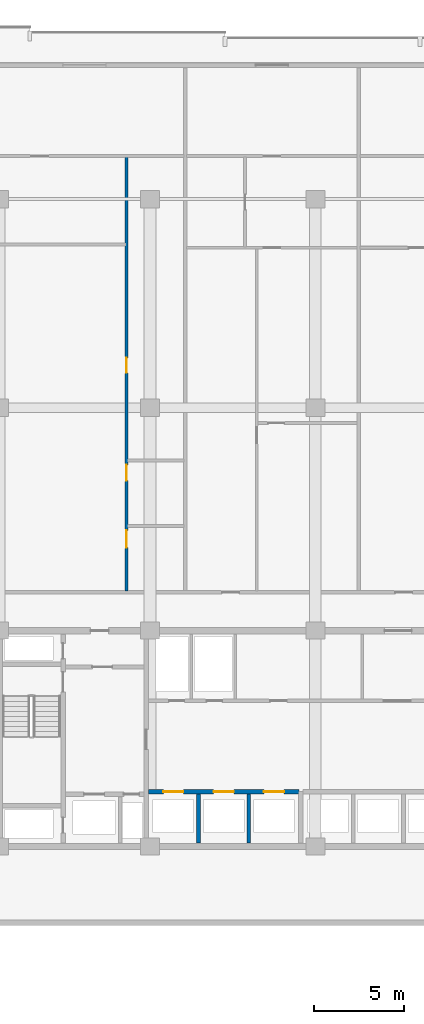
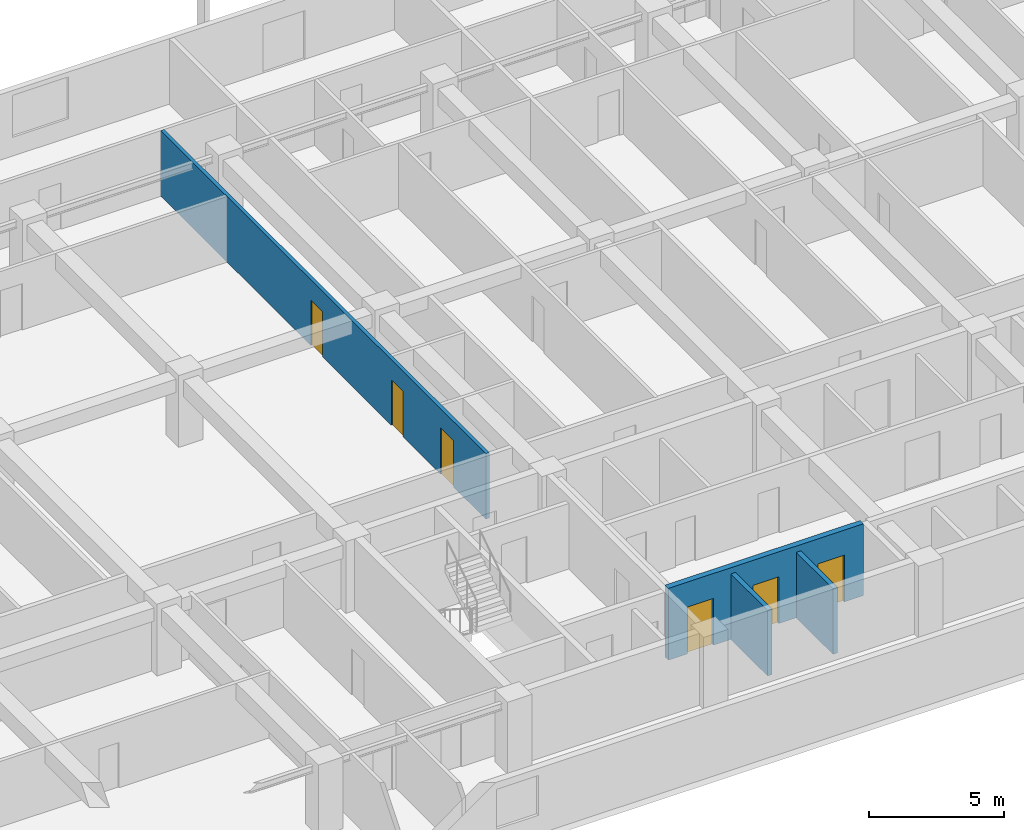
# One storey, part 11 of 24: 6 doors, 4 walls, 6 openings.
"""IFC4 building model written with IfcOpenShell, lengths in metres."""

from ifc_helpers import new_model, si_unit, direction, frame, frame_2d, origin, place, context, subcontext, project, spatial, rectangle, extrude, material, layer, layer_set, type_object, element, fill, save


model = new_model("IFC4")

# Units and contexts
model_context = context("Model", 3, precision=1e-05, world=origin(), true_north=direction((0.0, 1.0)))
body_context = subcontext(model_context, "Body", "Model", "MODEL_VIEW")
ifc_project = project(units=[si_unit("LENGTHUNIT", "METRE"), si_unit("AREAUNIT", "SQUARE_METRE"), si_unit("VOLUMEUNIT", "CUBIC_METRE"), si_unit("PLANEANGLEUNIT", "RADIAN"), si_unit("MASSUNIT", "GRAM", prefix="KILO")], contexts=[model_context])

# Site, building, storey
site_placement = place(None, origin())
site = spatial("IfcSite", under=ifc_project, at=site_placement, CompositionType="ELEMENT")
building_placement = place(site_placement, origin())
building = spatial("IfcBuilding", under=site, at=building_placement, Name="Korimba Cascade Residences", CompositionType="ELEMENT")
storey_placement = place(building_placement, frame((0.0, 0.0, 66.25)))
storey = spatial("IfcBuildingStorey", under=building, at=storey_placement, Name="L18", CompositionType="ELEMENT", Elevation=66.25)

# Wall, openings, doors
ifc_material_1 = material(Name="Insulated Acoustic Stud Partition", Category="gypsum")
ifc_layer_1 = layer(ifc_material_1, 0.14990234375)
ifc_layer_set_1 = layer_set([ifc_layer_1], Name="Insulated Acoustic Stud Partition")
wall_type_1 = type_object("IfcWallType", Name="WAL-PART-150", PredefinedType="PARTITIONING", material=ifc_layer_set_1)
wall_1_placement = place(storey_placement, frame((83.19482421875, 69.409912109375, 0.0), z_axis=(0.0, 0.0, 1.0), x_axis=(0.0, 1.0, 0.0)))
wall_1 = element("IfcWall", 1, at=wall_1_placement, inside=storey, type_object=wall_type_1, Name="L18 Partition Wall WAL-L18-T1-U02-WCV", PredefinedType="PARTITIONING", context=body_context, shape_type="SweptSolid", body=[
    extrude(rectangle(XDim=24.130126953125, YDim=0.14990234375, at=frame_2d((12.06494140625, 0.0))), origin(), (0.0, 0.0, 1.0), 2.969970703125),
])
opening_1_placement = place(wall_1_placement, frame((2.406005859375, 0.0, 0.0)))
opening_1 = element("IfcOpeningElement", 2, at=opening_1_placement, cuts=wall_1, Name="Opening D-AC1", PredefinedType="OPENING", context=body_context, shape_type="SweptSolid", body=[
    extrude(rectangle(XDim=0.9599609375, YDim=2.10009765625, at=frame_2d((0.47998046875, 1.050048828125))), frame((0.0, 0.0849609375, 0.0), z_axis=(0.0, -1.0, 0.0), x_axis=(1.0, 0.0, 0.0)), (0.0, 0.0, 1.0), 0.169921875),
])
opening_2_placement = place(wall_1_placement, frame((6.132568359375, 0.0, 0.0)))
opening_2 = element("IfcOpeningElement", 3, at=opening_2_placement, cuts=wall_1, Name="Opening D-IN2", PredefinedType="OPENING", context=body_context, shape_type="SweptSolid", body=[
    extrude(rectangle(XDim=0.8798828125, YDim=2.06005859375, at=frame_2d((0.43994140625, 1.030029296875))), frame((0.0, 0.0849609375, 0.0), z_axis=(0.0, -1.0, 0.0), x_axis=(1.0, 0.0, 0.0)), (0.0, 0.0, 1.0), 0.169921875),
])
opening_3_placement = place(wall_1_placement, frame((12.131103515625, 0.0, 0.0)))
opening_3 = element("IfcOpeningElement", 4, at=opening_3_placement, cuts=wall_1, Name="Opening D-BT1", PredefinedType="OPENING", context=body_context, shape_type="SweptSolid", body=[
    extrude(rectangle(XDim=0.840087890625, YDim=2.0400390625, at=frame_2d((0.419921875, 1.02001953125))), frame((0.0, 0.0849609375, 0.0), z_axis=(0.0, -1.0, 0.0), x_axis=(1.0, 0.0, 0.0)), (0.0, 0.0, 1.0), 0.169921875),
])
ifc_material_2 = material(Name="Accessible Acoustic Timber WC Door", Category="wood")
door_type_1 = type_object("IfcDoorType", Name="DR-ACC-950", OperationType="NOTDEFINED", PredefinedType="DOOR", material=ifc_material_2)
door_1_placement = place(opening_1_placement, origin())
door_1 = element("IfcDoor", 5, at=door_1_placement, inside=storey, type_object=door_type_1, Name="L18-T1-U02 Accessible WC Door", OperationType="SINGLE_SWING_LEFT", OverallHeight=2.10009765625, OverallWidth=0.9599609375, PredefinedType="DOOR", context=body_context, shape_type="SweptSolid", body=[
    extrude(rectangle(XDim=0.9599609375, YDim=2.10009765625, at=frame_2d((0.47998046875, 1.050048828125))), frame((0.0, 0.02490234375, 0.0), z_axis=(0.0, -1.0, 0.0), x_axis=(1.0, 0.0, 0.0)), (0.0, 0.0, 1.0), 0.050048828125),
])
fill(opening_1, door_1)
ifc_material_3 = material(Name="Moisture-Resistant Bathroom Timber Door", Category="wood")
door_type_2 = type_object("IfcDoorType", Name="DR-INT-850", OperationType="NOTDEFINED", PredefinedType="DOOR", material=ifc_material_3)
door_2_placement = place(opening_3_placement, origin())
door_2 = element("IfcDoor", 6, at=door_2_placement, inside=storey, type_object=door_type_2, Name="L18-T1-U02 Suite Store Door", OperationType="SINGLE_SWING_LEFT", OverallHeight=2.0400390625, OverallWidth=0.840087890625, PredefinedType="DOOR", context=body_context, shape_type="SweptSolid", body=[
    extrude(rectangle(XDim=0.840087890625, YDim=2.0400390625, at=frame_2d((0.419921875, 1.02001953125))), frame((0.0, 0.02490234375, 0.0), z_axis=(0.0, -1.0, 0.0), x_axis=(1.0, 0.0, 0.0)), (0.0, 0.0, 1.0), 0.050048828125),
])
fill(opening_3, door_2)
ifc_material_4 = material(Name="Acoustic Timber Bedroom Door", Category="wood")
door_type_3 = type_object("IfcDoorType", Name="DR-INT-880", OperationType="NOTDEFINED", PredefinedType="DOOR", material=ifc_material_4)
door_3_placement = place(opening_2_placement, origin())
door_3 = element("IfcDoor", 7, at=door_3_placement, inside=storey, type_object=door_type_3, Name="L18-T1-U02 Restroom WC Door", OperationType="SINGLE_SWING_RIGHT", OverallHeight=2.06005859375, OverallWidth=0.8798828125, PredefinedType="DOOR", context=body_context, shape_type="SweptSolid", body=[
    extrude(rectangle(XDim=0.8798828125, YDim=2.06005859375, at=frame_2d((0.43994140625, 1.030029296875))), frame((0.0, 0.02490234375, 0.0), z_axis=(0.0, -1.0, 0.0), x_axis=(1.0, 0.0, 0.0)), (0.0, 0.0, 1.0), 0.050048828125),
])
fill(opening_2, door_3)

# Walls
ifc_material_5 = material(Name="Concrete C40/50", Category="concrete")
ifc_layer_2 = layer(ifc_material_5, 0.199951171875)
ifc_layer_set_2 = layer_set([ifc_layer_2], Name="Concrete C40/50")
wall_type_2 = type_object("IfcWallType", Name="WAL-PART-200", PredefinedType="PARTITIONING", material=ifc_layer_set_2)
for number, where, z_axis, x_axis, name in (
    (8, (87.199951171875, 55.39990234375, 0.0), (0.0, 0.0, 1.0), (0.0, 1.0, 0.0), "L18 Partition Wall CW-L18-T1-B1D1"),
    (9, (90.0, 55.39990234375, 0.0), (0.0, 0.0, 1.0), (0.0, 1.0, 0.0), "L18 Partition Wall CW-L18-T1-B1D2"),
):
    element("IfcWall", number, at=place(storey_placement, frame(where, z_axis=z_axis, x_axis=x_axis)), inside=storey, type_object=wall_type_2, Name=name, PredefinedType="PARTITIONING", context=body_context, shape_type="SweptSolid", body=[
        extrude(rectangle(XDim=2.72021484375, YDim=0.199951171875, at=frame_2d((1.360107421875, 0.0))), origin(), (0.0, 0.0, 1.0), 2.969970703125),
    ])

# Wall, openings, doors
ifc_material_6 = material(Name="Concrete C50/60", Category="concrete")
ifc_layer_3 = layer(ifc_material_6, 0.25)
ifc_layer_set_3 = layer_set([ifc_layer_3], Name="Concrete C50/60")
wall_type_3 = type_object("IfcWallType", Name="WAL-SHAFT-250", PredefinedType="SHEAR", material=ifc_layer_set_3)
wall_2_placement = place(storey_placement, frame((84.419921875, 58.25, 0.0), z_axis=(0.0, 0.0, 1.0), x_axis=(1.0, 0.0, 0.0)))
wall_2 = element("IfcWall", 10, at=wall_2_placement, inside=storey, type_object=wall_type_3, Name="L18 Core Shear Wall CW-L18-T1-B1N", PredefinedType="SHEAR", context=body_context, shape_type="SweptSolid", body=[
    extrude(rectangle(XDim=8.360107421875, YDim=0.25, at=frame_2d((4.18017578125, 0.0))), origin(), (0.0, 0.0, 1.0), 3.25),
])
opening_4_placement = place(wall_2_placement, frame((0.820068359375, 0.0, 0.0)))
opening_4 = element("IfcOpeningElement", 11, at=opening_4_placement, cuts=wall_2, Name="Opening LD-01", PredefinedType="OPENING", context=body_context, shape_type="SweptSolid", body=[
    extrude(rectangle(XDim=1.1201171875, YDim=2.1201171875, at=frame_2d((0.56005859375, 1.06005859375))), frame((0.0, 0.135009765625, 0.0), z_axis=(0.0, -1.0, 0.0), x_axis=(1.0, 0.0, 0.0)), (0.0, 0.0, 1.0), 0.27001953125),
])
opening_5_placement = place(wall_2_placement, frame((3.6201171875, 0.0, 0.0)))
opening_5 = element("IfcOpeningElement", 12, at=opening_5_placement, cuts=wall_2, Name="Opening LD-01", PredefinedType="OPENING", context=body_context, shape_type="SweptSolid", body=[
    extrude(rectangle(XDim=1.1201171875, YDim=2.1201171875, at=frame_2d((0.56005859375, 1.06005859375))), frame((0.0, 0.135009765625, 0.0), z_axis=(0.0, -1.0, 0.0), x_axis=(1.0, 0.0, 0.0)), (0.0, 0.0, 1.0), 0.27001953125),
])
opening_6_placement = place(wall_2_placement, frame((6.419921875, 0.0, 0.0)))
opening_6 = element("IfcOpeningElement", 13, at=opening_6_placement, cuts=wall_2, Name="Opening LD-01", PredefinedType="OPENING", context=body_context, shape_type="SweptSolid", body=[
    extrude(rectangle(XDim=1.1201171875, YDim=2.1201171875, at=frame_2d((0.56005859375, 1.06005859375))), frame((0.0, 0.135009765625, 0.0), z_axis=(0.0, -1.0, 0.0), x_axis=(1.0, 0.0, 0.0)), (0.0, 0.0, 1.0), 0.27001953125),
])
ifc_material_7 = material(Name="Stainless Steel Lift Landing Sliding Door", Category="steel")
door_type_4 = type_object("IfcDoorType", Name="DR-LIFT-1100", OperationType="NOTDEFINED", PredefinedType="DOOR", material=ifc_material_7)
door_4_placement = place(opening_4_placement, origin())
door_4 = element("IfcDoor", 14, at=door_4_placement, inside=storey, type_object=door_type_4, Name="L18 Lift Landing Door PL-W1", OperationType="SLIDING_TO_LEFT", OverallHeight=2.1201171875, OverallWidth=1.1201171875, PredefinedType="DOOR", context=body_context, shape_type="SweptSolid", body=[
    extrude(rectangle(XDim=1.1201171875, YDim=2.1201171875, at=frame_2d((0.56005859375, 1.06005859375))), frame((0.0, 0.02490234375, 0.0), z_axis=(0.0, -1.0, 0.0), x_axis=(1.0, 0.0, 0.0)), (0.0, 0.0, 1.0), 0.050048828125),
])
fill(opening_4, door_4)
door_5_placement = place(opening_5_placement, origin())
door_5 = element("IfcDoor", 15, at=door_5_placement, inside=storey, type_object=door_type_4, Name="L18 Lift Landing Door PL-W2", OperationType="SLIDING_TO_LEFT", OverallHeight=2.1201171875, OverallWidth=1.1201171875, PredefinedType="DOOR", context=body_context, shape_type="SweptSolid", body=[
    extrude(rectangle(XDim=1.1201171875, YDim=2.1201171875, at=frame_2d((0.56005859375, 1.06005859375))), frame((0.0, 0.02490234375, 0.0), z_axis=(0.0, -1.0, 0.0), x_axis=(1.0, 0.0, 0.0)), (0.0, 0.0, 1.0), 0.050048828125),
])
fill(opening_5, door_5)
door_6_placement = place(opening_6_placement, origin())
door_6 = element("IfcDoor", 16, at=door_6_placement, inside=storey, type_object=door_type_4, Name="L18 Lift Landing Door PL-W3", OperationType="SLIDING_TO_LEFT", OverallHeight=2.1201171875, OverallWidth=1.1201171875, PredefinedType="DOOR", context=body_context, shape_type="SweptSolid", body=[
    extrude(rectangle(XDim=1.1201171875, YDim=2.1201171875, at=frame_2d((0.56005859375, 1.06005859375))), frame((0.0, 0.02490234375, 0.0), z_axis=(0.0, -1.0, 0.0), x_axis=(1.0, 0.0, 0.0)), (0.0, 0.0, 1.0), 0.050048828125),
])
fill(opening_6, door_6)

save(model, "model.ifc")
